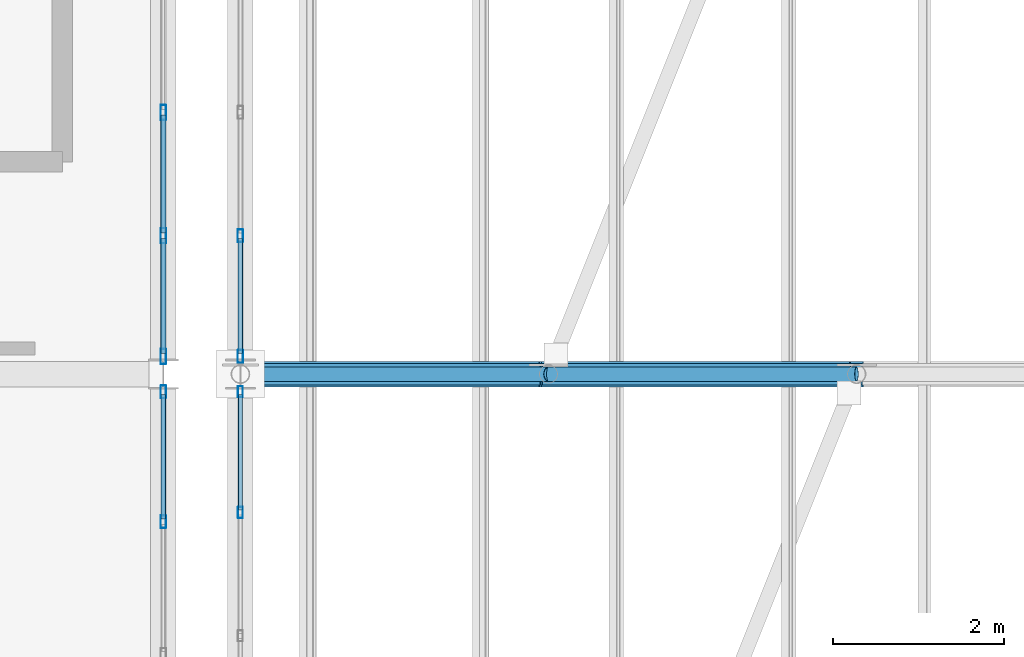
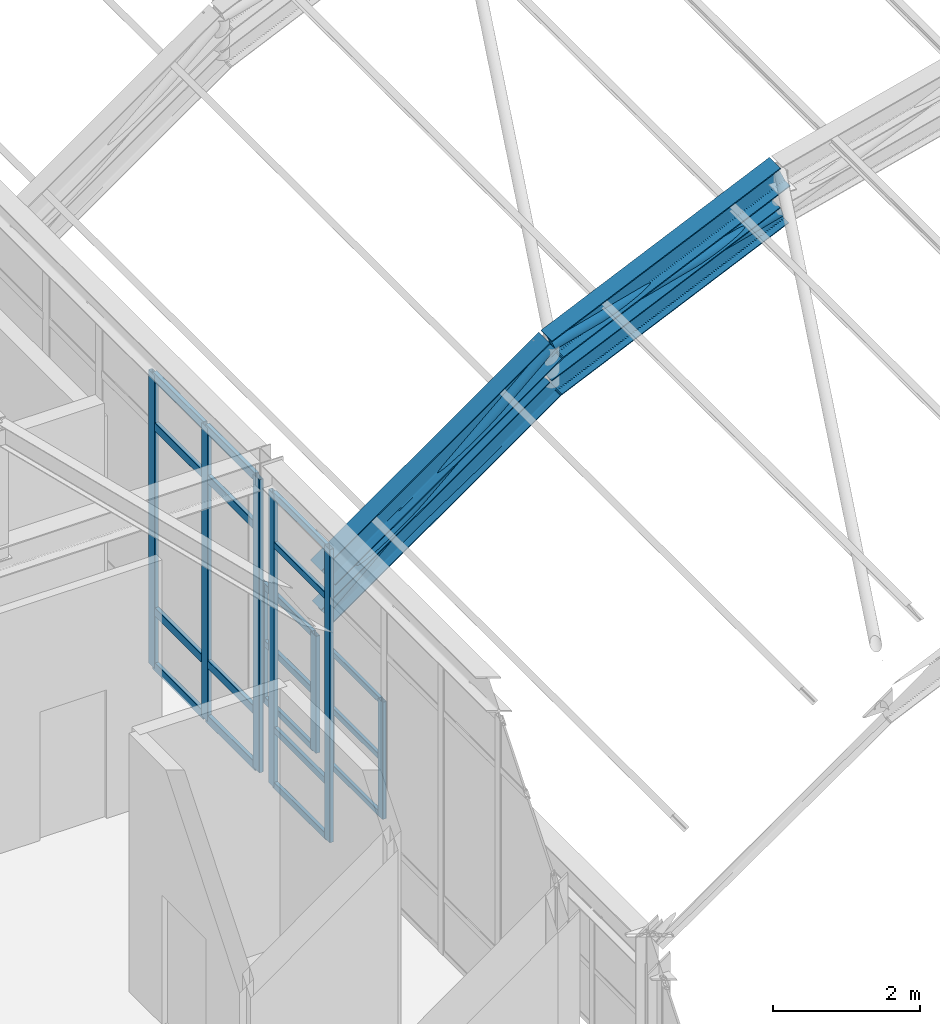
# One storey, part 52 of 121: 31 members, 2 beams, 4 elements without a shape of their own.
"""IFC4 building model written with IfcOpenShell, lengths in metres."""

from ifc_helpers import new_model, si_unit, direction, frame, origin, origin_2d, place, context, subcontext, project, spatial, hollow_rectangle, hollow_circle, i_section, extrude, material, material_profile, profile_set, type_object, element, aggregate, save


model = new_model("IFC4")

# Units and contexts
model_context = context("Model", 3, precision=1e-05, world=origin(), true_north=direction((0.0, 1.0)))
body_context = subcontext(model_context, "Body", "Model", "MODEL_VIEW")
ifc_project = project(units=[si_unit("LENGTHUNIT", "METRE"), si_unit("AREAUNIT", "SQUARE_METRE"), si_unit("VOLUMEUNIT", "CUBIC_METRE"), si_unit("PLANEANGLEUNIT", "RADIAN"), si_unit("MASSUNIT", "GRAM", prefix="KILO")], contexts=[model_context])

# Site, building, storey
site_placement = place(None, origin())
site = spatial("IfcSite", under=ifc_project, at=site_placement, CompositionType="ELEMENT")
building_placement = place(site_placement, origin())
building = spatial("IfcBuilding", under=site, at=building_placement, Name="Canglan Escarpment Cableway Terminal", CompositionType="ELEMENT")
storey_placement = place(building_placement, frame((0.0, 0.0, 24.60009765625)))
storey = spatial("IfcBuildingStorey", under=building, at=storey_placement, Name="L05", CompositionType="ELEMENT", Elevation=24.60009765625)

# Beams
ifc_material_1 = material(Name="Steel Q355B", Category="steel")
ifc_material_profile_1 = material_profile(ifc_material_1, i_section(OverallWidth=0.300048828125, OverallDepth=0.389892578125, WebThickness=0.010009765625, FlangeThickness=0.01611328125, FilletRadius=0.02197265625, at=origin_2d()), Name="HM 390x300x10x16")
ifc_profile_set_1 = profile_set([ifc_material_profile_1], Name="Steel Q355B")
beam_type = type_object("IfcBeamType", Name="BM-ARCH-TOP-HM390", PredefinedType="BEAM", material=ifc_profile_set_1)
beam_1_placement = place(storey_placement, frame((137.60009765625, 97.0, 3.08251953125), z_axis=(0.817731009495, 0.0, 0.575600552563), x_axis=(0.0, 1.0, 0.0)))
element("IfcBeam", 1, at=beam_1_placement, inside=storey, type_object=beam_type, Name="Vault ROOF TRUSS arch top chord AR-TC1", PredefinedType="BEAM", context=body_context, shape_type="SweptSolid", body=[
    extrude(i_section(OverallWidth=0.300048828125, OverallDepth=0.389892578125, WebThickness=0.010009765625, FlangeThickness=0.01611328125, FilletRadius=0.02197265625, at=origin_2d()), origin(), (0.0, 0.0, 1.0), 4.40234375),
])
beam_2_placement = place(storey_placement, frame((141.199951171875, 97.0, 5.616455078125), z_axis=(0.911752518833, 0.0, 0.410739996108), x_axis=(0.0, 1.0, 0.0)))
element("IfcBeam", 2, at=beam_2_placement, inside=storey, type_object=beam_type, Name="Vault ROOF TRUSS arch top chord AR-TC1", PredefinedType="BEAM", context=body_context, shape_type="SweptSolid", body=[
    extrude(i_section(OverallWidth=0.300048828125, OverallDepth=0.389892578125, WebThickness=0.010009765625, FlangeThickness=0.01611328125, FilletRadius=0.02197265625, at=origin_2d()), origin(), (0.0, 0.0, 1.0), 3.948486328125),
])

# Curtain wall, members
ifc_material_2 = material(Name="Anodized bronze aluminium and Low-E double glazing", Category="aluminium")
curtain_wall_type_1 = type_object("IfcCurtainWallType", Name="CW-BAY-8650x1950", PredefinedType="NOTDEFINED", material=ifc_material_2)
curtain_wall_1_placement = place(storey_placement, origin())
curtain_wall_1 = element("IfcCurtainWall", 3, at=curtain_wall_1_placement, inside=storey, type_object=curtain_wall_type_1, Name="Classical bay-between-piers glazed curtain wall CW-66", PredefinedType="NOTDEFINED")
ifc_material_3 = material(Name="Thermally broken anodized aluminium 6063-T6", Category="aluminium")
ifc_material_profile_2 = material_profile(ifc_material_3, hollow_rectangle(XDim=0.06005859375, YDim=0.1298828125, WallThickness=0.0029296875, InnerFilletRadius=0.0029296875, OuterFilletRadius=0.006103515625, at=origin_2d()), Name="ALU-MULL 60x130x3")
ifc_profile_set_2 = profile_set([ifc_material_profile_2], Name="Thermally broken anodized aluminium 6063-T6")
member_type_1 = type_object("IfcMemberType", Name="CWM-01", PredefinedType="MULLION", material=ifc_profile_set_2)
member_1_placement = place(storey_placement, frame((137.60009765625, 96.794921875, 0.0), z_axis=(0.0, 0.0, 1.0), x_axis=(1.0, 0.0, 0.0)))
member_1 = element("IfcMember", 4, at=member_1_placement, type_object=member_type_1, Name="CW-66 mullion 1", PredefinedType="MULLION", context=body_context, shape_type="SweptSolid", body=[
    extrude(hollow_rectangle(XDim=0.06005859375, YDim=0.1298828125, WallThickness=0.0029296875, InnerFilletRadius=0.0029296875, OuterFilletRadius=0.006103515625, at=origin_2d()), origin(), (0.0, 0.0, 1.0), 1.949951171875),
])
member_2_placement = place(storey_placement, frame((137.60009765625, 95.38330078125, 0.0), z_axis=(0.0, 0.0, 1.0), x_axis=(1.0, 0.0, 0.0)))
member_2 = element("IfcMember", 5, at=member_2_placement, type_object=member_type_1, Name="CW-66 mullion 2", PredefinedType="MULLION", context=body_context, shape_type="SweptSolid", body=[
    extrude(hollow_rectangle(XDim=0.06005859375, YDim=0.1298828125, WallThickness=0.0029296875, InnerFilletRadius=0.0029296875, OuterFilletRadius=0.006103515625, at=origin_2d()), origin(), (0.0, 0.0, 1.0), 1.949951171875),
])

curtain_wall_type_2 = type_object("IfcCurtainWallType", Name="CW-BAY-7750x4875", PredefinedType="NOTDEFINED", material=ifc_material_2)
curtain_wall_2_placement = place(storey_placement, origin())
curtain_wall_2 = element("IfcCurtainWall", 6, at=curtain_wall_2_placement, inside=storey, type_object=curtain_wall_type_2, Name="Classical bay-between-piers glazed curtain wall CW-57", PredefinedType="NOTDEFINED")
ifc_material_profile_3 = material_profile(ifc_material_3, hollow_rectangle(XDim=0.06494140625, YDim=0.14990234375, WallThickness=0.00341796875, InnerFilletRadius=0.00341796875, OuterFilletRadius=0.007080078125, at=origin_2d()), Name="ALU-MULL 65x150x3.5")
ifc_profile_set_3 = profile_set([ifc_material_profile_3], Name="Thermally broken anodized aluminium 6063-T6")
member_type_2 = type_object("IfcMemberType", Name="CWM-02", PredefinedType="MULLION", material=ifc_profile_set_3)
member_3_placement = place(storey_placement, frame((136.699951171875, 95.27490234375, 0.0), z_axis=(0.0, 0.0, 1.0), x_axis=(-1.0, 0.0, 0.0)))
member_3 = element("IfcMember", 7, at=member_3_placement, type_object=member_type_2, Name="CW-57 mullion 5", PredefinedType="MULLION", context=body_context, shape_type="SweptSolid", body=[
    extrude(hollow_rectangle(XDim=0.06494140625, YDim=0.14990234375, WallThickness=0.00341796875, InnerFilletRadius=0.00341796875, OuterFilletRadius=0.007080078125, at=origin_2d()), origin(), (0.0, 0.0, 1.0), 4.880859375),
])
member_4_placement = place(storey_placement, frame((136.699951171875, 96.79248046875, 0.0), z_axis=(0.0, 0.0, 1.0), x_axis=(-1.0, 0.0, 0.0)))
member_4 = element("IfcMember", 8, at=member_4_placement, type_object=member_type_2, Name="CW-57 mullion 6", PredefinedType="MULLION", context=body_context, shape_type="SweptSolid", body=[
    extrude(hollow_rectangle(XDim=0.06494140625, YDim=0.14990234375, WallThickness=0.00341796875, InnerFilletRadius=0.00341796875, OuterFilletRadius=0.007080078125, at=origin_2d()), origin(), (0.0, 0.0, 1.0), 4.880859375),
])

curtain_wall_3_placement = place(storey_placement, origin())
curtain_wall_3 = element("IfcCurtainWall", 9, at=curtain_wall_3_placement, inside=storey, type_object=curtain_wall_type_1, Name="Classical bay-between-piers glazed curtain wall CW-66", PredefinedType="NOTDEFINED")
member_5_placement = place(storey_placement, frame((137.60009765625, 98.61669921875, 0.0), z_axis=(0.0, 0.0, 1.0), x_axis=(1.0, 0.0, 0.0)))
member_5 = element("IfcMember", 10, at=member_5_placement, type_object=member_type_2, Name="CW-66 mullion 6", PredefinedType="MULLION", context=body_context, shape_type="SweptSolid", body=[
    extrude(hollow_rectangle(XDim=0.06494140625, YDim=0.14990234375, WallThickness=0.00341796875, InnerFilletRadius=0.00341796875, OuterFilletRadius=0.007080078125, at=origin_2d()), origin(), (0.0, 0.0, 1.0), 1.949951171875),
])
member_6_placement = place(storey_placement, frame((137.60009765625, 97.20751953125, 0.0), z_axis=(0.0, 0.0, 1.0), x_axis=(1.0, 0.0, 0.0)))
member_6 = element("IfcMember", 11, at=member_6_placement, type_object=member_type_2, Name="CW-66 mullion 7", PredefinedType="MULLION", context=body_context, shape_type="SweptSolid", body=[
    extrude(hollow_rectangle(XDim=0.06494140625, YDim=0.14990234375, WallThickness=0.00341796875, InnerFilletRadius=0.00341796875, OuterFilletRadius=0.007080078125, at=origin_2d()), origin(), (0.0, 0.0, 1.0), 1.949951171875),
])

curtain_wall_type_3 = type_object("IfcCurtainWallType", Name="CW-BAY-8650x4875", PredefinedType="NOTDEFINED", material=ifc_material_2)
curtain_wall_4_placement = place(storey_placement, origin())
curtain_wall_4 = element("IfcCurtainWall", 12, at=curtain_wall_4_placement, inside=storey, type_object=curtain_wall_type_3, Name="Classical bay-between-piers glazed curtain wall CW-58", PredefinedType="NOTDEFINED")
ifc_material_profile_4 = material_profile(ifc_material_3, hollow_rectangle(XDim=0.06494140625, YDim=0.179931640625, WallThickness=0.00390625, InnerFilletRadius=0.00390625, OuterFilletRadius=0.008056640625, at=origin_2d()), Name="ALU-MULL 65x180x4")
ifc_profile_set_4 = profile_set([ifc_material_profile_4], Name="Thermally broken anodized aluminium 6063-T6")
member_type_3 = type_object("IfcMemberType", Name="CWM-03", PredefinedType="MULLION", material=ifc_profile_set_4)
member_7_placement = place(storey_placement, frame((136.699951171875, 97.20751953125, 0.0), z_axis=(0.0, 0.0, 1.0), x_axis=(-1.0, 0.0, 0.0)))
member_7 = element("IfcMember", 13, at=member_7_placement, type_object=member_type_3, Name="CW-58 mullion 1", PredefinedType="MULLION", context=body_context, shape_type="SweptSolid", body=[
    extrude(hollow_rectangle(XDim=0.06494140625, YDim=0.179931640625, WallThickness=0.00390625, InnerFilletRadius=0.00390625, OuterFilletRadius=0.008056640625, at=origin_2d()), origin(), (0.0, 0.0, 1.0), 4.880859375),
])
member_8_placement = place(storey_placement, frame((136.699951171875, 98.61669921875, 0.0), z_axis=(0.0, 0.0, 1.0), x_axis=(-1.0, 0.0, 0.0)))
member_8 = element("IfcMember", 14, at=member_8_placement, type_object=member_type_3, Name="CW-58 mullion 2", PredefinedType="MULLION", context=body_context, shape_type="SweptSolid", body=[
    extrude(hollow_rectangle(XDim=0.06494140625, YDim=0.179931640625, WallThickness=0.00390625, InnerFilletRadius=0.00390625, OuterFilletRadius=0.008056640625, at=origin_2d()), origin(), (0.0, 0.0, 1.0), 4.880859375),
])
member_9_placement = place(storey_placement, frame((136.699951171875, 100.058349609375, 0.0), z_axis=(0.0, 0.0, 1.0), x_axis=(-1.0, 0.0, 0.0)))
member_9 = element("IfcMember", 15, at=member_9_placement, type_object=member_type_3, Name="CW-58 mullion 3", PredefinedType="MULLION", context=body_context, shape_type="SweptSolid", body=[
    extrude(hollow_rectangle(XDim=0.06494140625, YDim=0.179931640625, WallThickness=0.00390625, InnerFilletRadius=0.00390625, OuterFilletRadius=0.008056640625, at=origin_2d()), origin(), (0.0, 0.0, 1.0), 4.880859375),
])

# Member
ifc_material_profile_5 = material_profile(ifc_material_3, hollow_rectangle(XDim=0.054931640625, YDim=0.094970703125, WallThickness=0.0029296875, InnerFilletRadius=0.0029296875, OuterFilletRadius=0.006103515625, at=origin_2d()), Name="ALU-TRAN 55x95x3")
ifc_profile_set_5 = profile_set([ifc_material_profile_5], Name="Thermally broken anodized aluminium 6063-T6")
member_type_4 = type_object("IfcMemberType", Name="CWT-01", PredefinedType="USERDEFINED", material=ifc_profile_set_5)
member_10_placement = place(storey_placement, frame((137.60009765625, 96.764892578125, 0.02734375), z_axis=(0.0, -1.0, 0.0), x_axis=(1.0, 0.0, 0.0)))
member_10 = element("IfcMember", 16, at=member_10_placement, type_object=member_type_4, Name="CW-66 transom 1.1", ObjectType="TRANSOM", PredefinedType="USERDEFINED", context=body_context, shape_type="SweptSolid", body=[
    extrude(hollow_rectangle(XDim=0.054931640625, YDim=0.094970703125, WallThickness=0.0029296875, InnerFilletRadius=0.0029296875, OuterFilletRadius=0.006103515625, at=origin_2d()), origin(), (0.0, 0.0, 1.0), 1.3515625),
])

member_11_placement = place(storey_placement, frame((137.60009765625, 96.764892578125, 0.974853515625), z_axis=(0.0, -1.0, 0.0), x_axis=(1.0, 0.0, 0.0)))
member_11 = element("IfcMember", 17, at=member_11_placement, type_object=member_type_4, Name="CW-66 transom 1.2", ObjectType="TRANSOM", PredefinedType="USERDEFINED", context=body_context, shape_type="SweptSolid", body=[
    extrude(hollow_rectangle(XDim=0.054931640625, YDim=0.094970703125, WallThickness=0.0029296875, InnerFilletRadius=0.0029296875, OuterFilletRadius=0.006103515625, at=origin_2d()), origin(), (0.0, 0.0, 1.0), 1.3515625),
])

member_12_placement = place(storey_placement, frame((137.60009765625, 96.764892578125, 1.92236328125), z_axis=(0.0, -1.0, 0.0), x_axis=(1.0, 0.0, 0.0)))
member_12 = element("IfcMember", 18, at=member_12_placement, type_object=member_type_4, Name="CW-66 transom 1.3", ObjectType="TRANSOM", PredefinedType="USERDEFINED", context=body_context, shape_type="SweptSolid", body=[
    extrude(hollow_rectangle(XDim=0.054931640625, YDim=0.094970703125, WallThickness=0.0029296875, InnerFilletRadius=0.0029296875, OuterFilletRadius=0.006103515625, at=origin_2d()), origin(), (0.0, 0.0, 1.0), 1.3515625),
])

aggregate(curtain_wall_1, [member_1, member_2, member_10, member_11, member_12])

ifc_material_profile_6 = material_profile(ifc_material_3, hollow_rectangle(XDim=0.06005859375, YDim=0.110107421875, WallThickness=0.0029296875, InnerFilletRadius=0.0029296875, OuterFilletRadius=0.006103515625, at=origin_2d()), Name="ALU-TRAN 60x110x3")
ifc_profile_set_6 = profile_set([ifc_material_profile_6], Name="Thermally broken anodized aluminium 6063-T6")
member_type_5 = type_object("IfcMemberType", Name="CWT-02", PredefinedType="USERDEFINED", material=ifc_profile_set_6)
member_13_placement = place(storey_placement, frame((136.699951171875, 95.3076171875, 0.02978515625), z_axis=(0.0, 1.0, 0.0), x_axis=(-1.0, 0.0, 0.0)))
member_13 = element("IfcMember", 19, at=member_13_placement, type_object=member_type_5, Name="CW-57 transom 5.1", ObjectType="TRANSOM", PredefinedType="USERDEFINED", context=body_context, shape_type="SweptSolid", body=[
    extrude(hollow_rectangle(XDim=0.06005859375, YDim=0.110107421875, WallThickness=0.0029296875, InnerFilletRadius=0.0029296875, OuterFilletRadius=0.006103515625, at=origin_2d()), origin(), (0.0, 0.0, 1.0), 1.452392578125),
])

member_14_placement = place(storey_placement, frame((136.699951171875, 95.3076171875, 0.949951171875), z_axis=(0.0, 1.0, 0.0), x_axis=(-1.0, 0.0, 0.0)))
member_14 = element("IfcMember", 20, at=member_14_placement, type_object=member_type_5, Name="CW-57 transom 5.2", ObjectType="TRANSOM", PredefinedType="USERDEFINED", context=body_context, shape_type="SweptSolid", body=[
    extrude(hollow_rectangle(XDim=0.06005859375, YDim=0.110107421875, WallThickness=0.0029296875, InnerFilletRadius=0.0029296875, OuterFilletRadius=0.006103515625, at=origin_2d()), origin(), (0.0, 0.0, 1.0), 1.452392578125),
])

member_15_placement = place(storey_placement, frame((136.699951171875, 95.3076171875, 4.031005859375), z_axis=(0.0, 1.0, 0.0), x_axis=(-1.0, 0.0, 0.0)))
member_15 = element("IfcMember", 21, at=member_15_placement, type_object=member_type_5, Name="CW-57 transom 5.3", ObjectType="TRANSOM", PredefinedType="USERDEFINED", context=body_context, shape_type="SweptSolid", body=[
    extrude(hollow_rectangle(XDim=0.06005859375, YDim=0.110107421875, WallThickness=0.0029296875, InnerFilletRadius=0.0029296875, OuterFilletRadius=0.006103515625, at=origin_2d()), origin(), (0.0, 0.0, 1.0), 1.452392578125),
])

member_16_placement = place(storey_placement, frame((136.699951171875, 95.3076171875, 4.850830078125), z_axis=(0.0, 1.0, 0.0), x_axis=(-1.0, 0.0, 0.0)))
member_16 = element("IfcMember", 22, at=member_16_placement, type_object=member_type_5, Name="CW-57 transom 5.4", ObjectType="TRANSOM", PredefinedType="USERDEFINED", context=body_context, shape_type="SweptSolid", body=[
    extrude(hollow_rectangle(XDim=0.06005859375, YDim=0.110107421875, WallThickness=0.0029296875, InnerFilletRadius=0.0029296875, OuterFilletRadius=0.006103515625, at=origin_2d()), origin(), (0.0, 0.0, 1.0), 1.452392578125),
])

aggregate(curtain_wall_2, [member_3, member_4, member_13, member_14, member_15, member_16])

member_17_placement = place(storey_placement, frame((137.60009765625, 98.584228515625, 0.02978515625), z_axis=(0.0, -1.0, 0.0), x_axis=(1.0, 0.0, 0.0)))
member_17 = element("IfcMember", 23, at=member_17_placement, type_object=member_type_5, Name="CW-66 transom 6.1", ObjectType="TRANSOM", PredefinedType="USERDEFINED", context=body_context, shape_type="SweptSolid", body=[
    extrude(hollow_rectangle(XDim=0.06005859375, YDim=0.110107421875, WallThickness=0.0029296875, InnerFilletRadius=0.0029296875, OuterFilletRadius=0.006103515625, at=origin_2d()), origin(), (0.0, 0.0, 1.0), 1.34423828125),
])

member_18_placement = place(storey_placement, frame((137.60009765625, 98.584228515625, 0.974853515625), z_axis=(0.0, -1.0, 0.0), x_axis=(1.0, 0.0, 0.0)))
member_18 = element("IfcMember", 24, at=member_18_placement, type_object=member_type_5, Name="CW-66 transom 6.2", ObjectType="TRANSOM", PredefinedType="USERDEFINED", context=body_context, shape_type="SweptSolid", body=[
    extrude(hollow_rectangle(XDim=0.06005859375, YDim=0.110107421875, WallThickness=0.0029296875, InnerFilletRadius=0.0029296875, OuterFilletRadius=0.006103515625, at=origin_2d()), origin(), (0.0, 0.0, 1.0), 1.34423828125),
])

member_19_placement = place(storey_placement, frame((137.60009765625, 98.584228515625, 1.919921875), z_axis=(0.0, -1.0, 0.0), x_axis=(1.0, 0.0, 0.0)))
member_19 = element("IfcMember", 25, at=member_19_placement, type_object=member_type_5, Name="CW-66 transom 6.3", ObjectType="TRANSOM", PredefinedType="USERDEFINED", context=body_context, shape_type="SweptSolid", body=[
    extrude(hollow_rectangle(XDim=0.06005859375, YDim=0.110107421875, WallThickness=0.0029296875, InnerFilletRadius=0.0029296875, OuterFilletRadius=0.006103515625, at=origin_2d()), origin(), (0.0, 0.0, 1.0), 1.34423828125),
])

aggregate(curtain_wall_3, [member_5, member_6, member_17, member_18, member_19])

ifc_material_profile_7 = material_profile(ifc_material_3, hollow_rectangle(XDim=0.06494140625, YDim=0.139892578125, WallThickness=0.00341796875, InnerFilletRadius=0.00341796875, OuterFilletRadius=0.007080078125, at=origin_2d()), Name="ALU-TRAN 65x140x3.5")
ifc_profile_set_7 = profile_set([ifc_material_profile_7], Name="Thermally broken anodized aluminium 6063-T6")
member_type_6 = type_object("IfcMemberType", Name="CWT-03", PredefinedType="USERDEFINED", material=ifc_profile_set_7)
member_20_placement = place(storey_placement, frame((136.699951171875, 97.239990234375, 0.032470703125), z_axis=(0.0, 1.0, 0.0), x_axis=(-1.0, 0.0, 0.0)))
member_20 = element("IfcMember", 26, at=member_20_placement, type_object=member_type_6, Name="CW-58 transom 1.1", ObjectType="TRANSOM", PredefinedType="USERDEFINED", context=body_context, shape_type="SweptSolid", body=[
    extrude(hollow_rectangle(XDim=0.06494140625, YDim=0.139892578125, WallThickness=0.00341796875, InnerFilletRadius=0.00341796875, OuterFilletRadius=0.007080078125, at=origin_2d()), origin(), (0.0, 0.0, 1.0), 1.34423828125),
])

member_21_placement = place(storey_placement, frame((136.699951171875, 97.239990234375, 0.949951171875), z_axis=(0.0, 1.0, 0.0), x_axis=(-1.0, 0.0, 0.0)))
member_21 = element("IfcMember", 27, at=member_21_placement, type_object=member_type_6, Name="CW-58 transom 1.2", ObjectType="TRANSOM", PredefinedType="USERDEFINED", context=body_context, shape_type="SweptSolid", body=[
    extrude(hollow_rectangle(XDim=0.06494140625, YDim=0.139892578125, WallThickness=0.00341796875, InnerFilletRadius=0.00341796875, OuterFilletRadius=0.007080078125, at=origin_2d()), origin(), (0.0, 0.0, 1.0), 1.34423828125),
])

member_22_placement = place(storey_placement, frame((136.699951171875, 97.239990234375, 4.031005859375), z_axis=(0.0, 1.0, 0.0), x_axis=(-1.0, 0.0, 0.0)))
member_22 = element("IfcMember", 28, at=member_22_placement, type_object=member_type_6, Name="CW-58 transom 1.3", ObjectType="TRANSOM", PredefinedType="USERDEFINED", context=body_context, shape_type="SweptSolid", body=[
    extrude(hollow_rectangle(XDim=0.06494140625, YDim=0.139892578125, WallThickness=0.00341796875, InnerFilletRadius=0.00341796875, OuterFilletRadius=0.007080078125, at=origin_2d()), origin(), (0.0, 0.0, 1.0), 1.34423828125),
])

member_23_placement = place(storey_placement, frame((136.699951171875, 97.239990234375, 4.848388671875), z_axis=(0.0, 1.0, 0.0), x_axis=(-1.0, 0.0, 0.0)))
member_23 = element("IfcMember", 29, at=member_23_placement, type_object=member_type_6, Name="CW-58 transom 1.4", ObjectType="TRANSOM", PredefinedType="USERDEFINED", context=body_context, shape_type="SweptSolid", body=[
    extrude(hollow_rectangle(XDim=0.06494140625, YDim=0.139892578125, WallThickness=0.00341796875, InnerFilletRadius=0.00341796875, OuterFilletRadius=0.007080078125, at=origin_2d()), origin(), (0.0, 0.0, 1.0), 1.34423828125),
])

member_24_placement = place(storey_placement, frame((136.699951171875, 98.649169921875, 0.032470703125), z_axis=(0.0, 1.0, 0.0), x_axis=(-1.0, 0.0, 0.0)))
member_24 = element("IfcMember", 30, at=member_24_placement, type_object=member_type_6, Name="CW-58 transom 2.1", ObjectType="TRANSOM", PredefinedType="USERDEFINED", context=body_context, shape_type="SweptSolid", body=[
    extrude(hollow_rectangle(XDim=0.06494140625, YDim=0.139892578125, WallThickness=0.00341796875, InnerFilletRadius=0.00341796875, OuterFilletRadius=0.007080078125, at=origin_2d()), origin(), (0.0, 0.0, 1.0), 1.376708984375),
])

member_25_placement = place(storey_placement, frame((136.699951171875, 98.649169921875, 0.949951171875), z_axis=(0.0, 1.0, 0.0), x_axis=(-1.0, 0.0, 0.0)))
member_25 = element("IfcMember", 31, at=member_25_placement, type_object=member_type_6, Name="CW-58 transom 2.2", ObjectType="TRANSOM", PredefinedType="USERDEFINED", context=body_context, shape_type="SweptSolid", body=[
    extrude(hollow_rectangle(XDim=0.06494140625, YDim=0.139892578125, WallThickness=0.00341796875, InnerFilletRadius=0.00341796875, OuterFilletRadius=0.007080078125, at=origin_2d()), origin(), (0.0, 0.0, 1.0), 1.376708984375),
])

member_26_placement = place(storey_placement, frame((136.699951171875, 98.649169921875, 4.031005859375), z_axis=(0.0, 1.0, 0.0), x_axis=(-1.0, 0.0, 0.0)))
member_26 = element("IfcMember", 32, at=member_26_placement, type_object=member_type_6, Name="CW-58 transom 2.3", ObjectType="TRANSOM", PredefinedType="USERDEFINED", context=body_context, shape_type="SweptSolid", body=[
    extrude(hollow_rectangle(XDim=0.06494140625, YDim=0.139892578125, WallThickness=0.00341796875, InnerFilletRadius=0.00341796875, OuterFilletRadius=0.007080078125, at=origin_2d()), origin(), (0.0, 0.0, 1.0), 1.376708984375),
])

member_27_placement = place(storey_placement, frame((136.699951171875, 98.649169921875, 4.848388671875), z_axis=(0.0, 1.0, 0.0), x_axis=(-1.0, 0.0, 0.0)))
member_27 = element("IfcMember", 33, at=member_27_placement, type_object=member_type_6, Name="CW-58 transom 2.4", ObjectType="TRANSOM", PredefinedType="USERDEFINED", context=body_context, shape_type="SweptSolid", body=[
    extrude(hollow_rectangle(XDim=0.06494140625, YDim=0.139892578125, WallThickness=0.00341796875, InnerFilletRadius=0.00341796875, OuterFilletRadius=0.007080078125, at=origin_2d()), origin(), (0.0, 0.0, 1.0), 1.376708984375),
])

aggregate(curtain_wall_4, [member_7, member_8, member_9, member_20, member_21, member_22, member_23, member_24, member_25, member_26, member_27])

# Members
ifc_material_profile_8 = material_profile(ifc_material_1, i_section(OverallWidth=0.25, OverallDepth=0.340087890625, WebThickness=0.009033203125, FlangeThickness=0.013916015625, FilletRadius=0.02001953125, at=origin_2d()), Name="HM 340x250x9x14")
ifc_profile_set_8 = profile_set([ifc_material_profile_8], Name="Steel Q355B")
member_type_7 = type_object("IfcMemberType", Name="MB-ARCH-BOT-HM340", PredefinedType="CHORD", material=ifc_profile_set_8)
member_28_placement = place(storey_placement, frame((137.60009765625, 97.0, 2.432373046875), z_axis=(0.81770490607, 0.0, 0.575637634792), x_axis=(0.0, 1.0, 0.0)))
element("IfcMember", 34, at=member_28_placement, inside=storey, type_object=member_type_7, Name="Vault ROOF TRUSS arch bottom chord AR-BC1", PredefinedType="CHORD", context=body_context, shape_type="SweptSolid", body=[
    extrude(i_section(OverallWidth=0.25, OverallDepth=0.340087890625, WebThickness=0.009033203125, FlangeThickness=0.013916015625, FilletRadius=0.02001953125, at=origin_2d()), origin(), (0.0, 0.0, 1.0), 4.40234375),
])
member_29_placement = place(storey_placement, frame((141.199951171875, 97.0, 4.966552734375), z_axis=(0.911752518833, 0.0, 0.410739996108), x_axis=(0.0, 1.0, 0.0)))
element("IfcMember", 35, at=member_29_placement, inside=storey, type_object=member_type_7, Name="Vault ROOF TRUSS arch bottom chord AR-BC1", PredefinedType="CHORD", context=body_context, shape_type="SweptSolid", body=[
    extrude(i_section(OverallWidth=0.25, OverallDepth=0.340087890625, WebThickness=0.009033203125, FlangeThickness=0.013916015625, FilletRadius=0.02001953125, at=origin_2d()), origin(), (0.0, 0.0, 1.0), 3.948486328125),
])
ifc_material_profile_9 = material_profile(ifc_material_1, hollow_circle(Radius=0.084228515625, WallThickness=0.006103515625, at=origin_2d()), Name="CHS 168.3x6")
ifc_profile_set_9 = profile_set([ifc_material_profile_9], Name="Steel Q355B")
member_type_8 = type_object("IfcMemberType", Name="MB-ARCH-DIAG-CHS168", PredefinedType="BRACE", material=ifc_profile_set_9)
member_30_placement = place(storey_placement, frame((137.60009765625, 97.0, 2.432373046875), z_axis=(0.749038254518, 0.0, 0.662526749096), x_axis=(0.0, 1.0, 0.0)))
element("IfcMember", 36, at=member_30_placement, inside=storey, type_object=member_type_8, Name="Vault ROOF TRUSS web diagonal AR-DG1", PredefinedType="BRACE", context=body_context, shape_type="SweptSolid", body=[
    extrude(hollow_circle(Radius=0.084228515625, WallThickness=0.006103515625, at=origin_2d()), origin(), (0.0, 0.0, 1.0), 4.805908203125),
])
member_31_placement = place(storey_placement, frame((141.199951171875, 97.0, 5.616455078125), z_axis=(0.96543600217, 0.0, 0.260640222748), x_axis=(0.0, 1.0, 0.0)))
element("IfcMember", 37, at=member_31_placement, inside=storey, type_object=member_type_8, Name="Vault ROOF TRUSS web diagonal AR-DG1", PredefinedType="BRACE", context=body_context, shape_type="SweptSolid", body=[
    extrude(hollow_circle(Radius=0.084228515625, WallThickness=0.006103515625, at=origin_2d()), origin(), (0.0, 0.0, 1.0), 3.72900390625),
])

save(model, "model.ifc")
